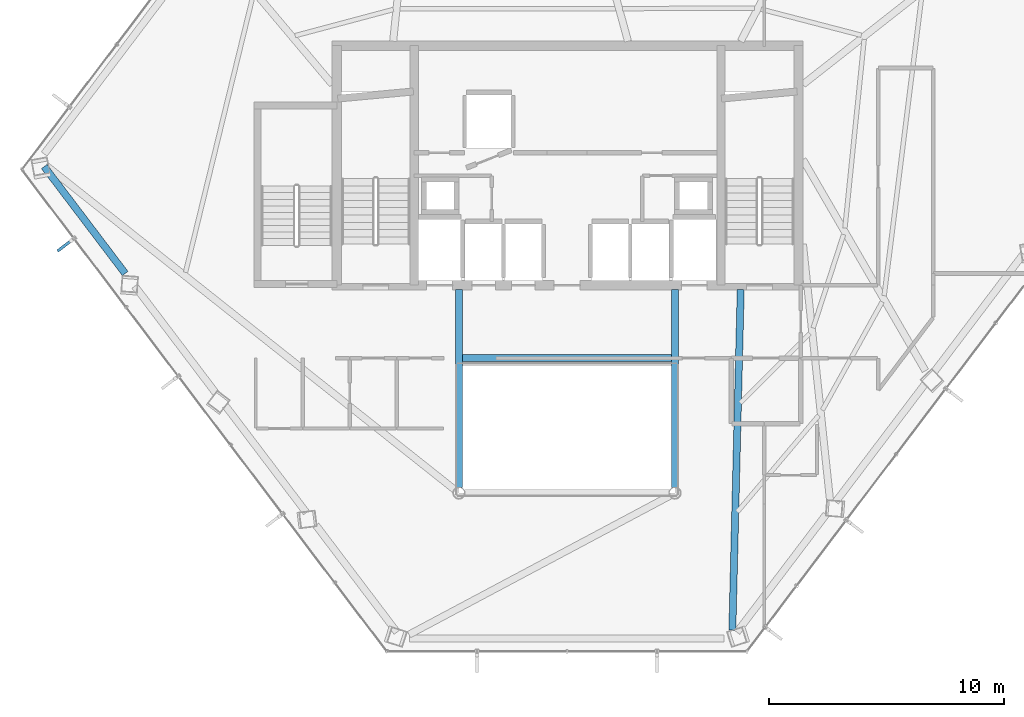
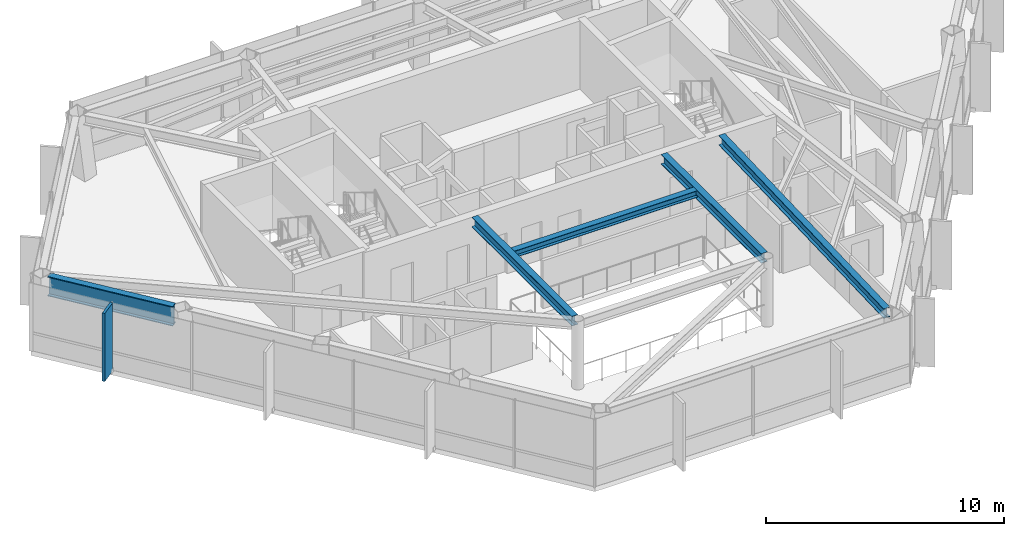
# One storey, part 9 of 27: 5 beams, 1 member, 1 element without a shape of its own.
"""IFC4 building model written with IfcOpenShell, lengths in metres."""

from ifc_helpers import new_model, si_unit, direction, frame, origin, origin_2d, place, context, subcontext, project, spatial, rectangle, i_section, extrude, material, layer, layer_set, material_profile, profile_set, type_object, element, aggregate, save


model = new_model("IFC4")

# Units and contexts
model_context = context("Model", 3, precision=1e-05, world=origin(), true_north=direction((0.0, 1.0)))
body_context = subcontext(model_context, "Body", "Model", "MODEL_VIEW")
ifc_project = project(units=[si_unit("LENGTHUNIT", "METRE"), si_unit("AREAUNIT", "SQUARE_METRE"), si_unit("VOLUMEUNIT", "CUBIC_METRE"), si_unit("PLANEANGLEUNIT", "RADIAN"), si_unit("MASSUNIT", "GRAM", prefix="KILO")], contexts=[model_context])

# Site, building, storey
site_placement = place(None, origin())
site = spatial("IfcSite", under=ifc_project, at=site_placement, CompositionType="ELEMENT")
building_placement = place(site_placement, origin())
building = spatial("IfcBuilding", under=site, at=building_placement, Name="Zarrinselat Tower", CompositionType="ELEMENT")
storey_placement = place(building_placement, frame((0.0, 0.0, 172.0400390625)))
storey = spatial("IfcBuildingStorey", under=building, at=storey_placement, Name="L42", CompositionType="ELEMENT", Elevation=172.0400390625)

# Beams
ifc_material_1 = material(Name="Steel S355J2", Category="steel")
ifc_material_profile_1 = material_profile(ifc_material_1, i_section(OverallWidth=0.300048828125, OverallDepth=0.35009765625, WebThickness=0.010009765625, FlangeThickness=0.017578125, at=origin_2d()), Name="HEA 360")
ifc_profile_set_1 = profile_set([ifc_material_profile_1], Name="Steel S355J2")
beam_type_1 = type_object("IfcBeamType", Name="BM-HEA360", PredefinedType="LINTEL", material=ifc_profile_set_1)
beam_1_placement = place(storey_placement, frame((33.93994140625, 30.14990234375, 3.324951171875), z_axis=(1.0, 0.0, 0.0), x_axis=(0.0, 1.0, 0.0)))
element("IfcBeam", 1, at=beam_1_placement, inside=storey, type_object=beam_type_1, Name="L42 Lift Lobby Ceiling Beam", PredefinedType="LINTEL", context=body_context, shape_type="SweptSolid", body=[
    extrude(i_section(OverallWidth=0.300048828125, OverallDepth=0.35009765625, WebThickness=0.010009765625, FlangeThickness=0.017578125, at=origin_2d()), origin(), (0.0, 0.0, 1.0), 8.920166015625),
])
ifc_material_2 = material(Name="Steel S355J2", Category="steel")
ifc_material_profile_2 = material_profile(ifc_material_2, i_section(OverallWidth=0.300048828125, OverallDepth=0.5, WebThickness=0.014404296875, FlangeThickness=0.028076171875, at=origin_2d()), Name="HEB 500")
ifc_profile_set_2 = profile_set([ifc_material_profile_2], Name="Steel S355J2")
beam_type_2 = type_object("IfcBeamType", Name="BM-HEB500", PredefinedType="BEAM", material=ifc_profile_set_2)
for number, where, z_axis, x_axis, name in (
    (2, (33.800048828125, 24.639892578125, 3.25), (0.0, 1.0, 0.0), (-1.0, 0.0, 0.0), "L42 Atrium Edge Beam W"),
    (3, (43.0, 24.639892578125, 3.25), (0.0, 1.0, 0.0), (-1.0, 0.0, 0.0), "L42 Atrium Edge Beam E"),
):
    element("IfcBeam", number, at=place(storey_placement, frame(where, z_axis=z_axis, x_axis=x_axis)), inside=storey, type_object=beam_type_2, Name=name, PredefinedType="BEAM", context=body_context, shape_type="SweptSolid", body=[
        extrude(i_section(OverallWidth=0.300048828125, OverallDepth=0.5, WebThickness=0.014404296875, FlangeThickness=0.028076171875, at=origin_2d()), origin(), (0.0, 0.0, 1.0), 8.420166015625),
    ])
beam_2_placement = place(storey_placement, frame((45.444091796875, 18.55712890625, 3.25), z_axis=(0.024536412531, 0.999698936911, 0.0), x_axis=(-0.999698936911, 0.024536412531, 0.0)))
element("IfcBeam", 4, at=beam_2_placement, inside=storey, type_object=beam_type_2, Name="L42 Radial Primary Girder RG11", PredefinedType="BEAM", context=body_context, shape_type="SweptSolid", body=[
    extrude(i_section(OverallWidth=0.300048828125, OverallDepth=0.5, WebThickness=0.014404296875, FlangeThickness=0.028076171875, at=origin_2d()), origin(), (0.0, 0.0, 1.0), 14.50732421875),
])
ifc_material_3 = material(Name="Steel S460M", Category="steel")
ifc_material_profile_3 = material_profile(ifc_material_3, i_section(OverallWidth=0.302001953125, OverallDepth=1.008056640625, WebThickness=0.02099609375, FlangeThickness=0.0400390625, at=origin_2d()), Name="HEM 1000")
ifc_profile_set_3 = profile_set([ifc_material_profile_3], Name="Steel S460M")
beam_type_3 = type_object("IfcBeamType", Name="BM-HEM1000", PredefinedType="BEAM", material=ifc_profile_set_3)
beam_3_placement = place(storey_placement, frame((16.1396484375, 38.30224609375, 2.995849609375), z_axis=(0.60387743851, -0.797077185258, 0.0), x_axis=(0.797077185258, 0.60387743851, 0.0)))
element("IfcBeam", 5, at=beam_3_placement, inside=storey, type_object=beam_type_3, Name="L42 Perimeter Spandrel Girder SP06", PredefinedType="BEAM", context=body_context, shape_type="SweptSolid", body=[
    extrude(i_section(OverallWidth=0.302001953125, OverallDepth=1.008056640625, WebThickness=0.02099609375, FlangeThickness=0.0400390625, at=origin_2d()), origin(), (0.0, 0.0, 1.0), 5.711669921875),
])

# Curtain wall, member
ifc_material_4 = material(Name="Extruded Aluminium Alloy EN AW-6063 T6", Category="aluminium")
ifc_layer = layer(ifc_material_4, 0.175048828125)
ifc_layer_set = layer_set([ifc_layer], Name="Extruded Aluminium Alloy EN AW-6063 T6")
curtain_wall_type = type_object("IfcCurtainWallType", Name="CWS-HTL", PredefinedType="NOTDEFINED", material=ifc_layer_set)
curtain_wall_placement = place(storey_placement, origin())
curtain_wall = element("IfcCurtainWall", 6, at=curtain_wall_placement, inside=storey, type_object=curtain_wall_type, Name="L42 Unitised Curtain Wall CW-L42-E03", PredefinedType="NOTDEFINED")
ifc_material_5 = material(Name="Honed Cream Travertine Stone", Category="masonry")
ifc_material_profile_4 = material_profile(ifc_material_5, rectangle(XDim=0.1201171875, YDim=0.85009765625, at=origin_2d()), Name="FIN 850x120")
ifc_profile_set_4 = profile_set([ifc_material_profile_4], Name="Honed Cream Travertine Stone")
member_type = type_object("IfcMemberType", Name="MEM-STONE-FIN", PredefinedType="USERDEFINED", material=ifc_profile_set_4)
member_placement = place(storey_placement, frame((17.047607421875, 34.962158203125, 0.0), z_axis=(0.0, 0.0, 1.0), x_axis=(-0.603857987184, 0.797091921496, 0.0)))
member = element("IfcMember", 7, at=member_placement, type_object=member_type, Name="L42 Stone Shading Fin CW-L42-E03-01", ObjectType="FIN", PredefinedType="USERDEFINED", context=body_context, shape_type="SweptSolid", body=[
    extrude(rectangle(XDim=0.1201171875, YDim=0.85009765625, at=origin_2d()), origin(), (0.0, 0.0, 1.0), 3.5),
])
aggregate(curtain_wall, [member])

save(model, "model.ifc")
